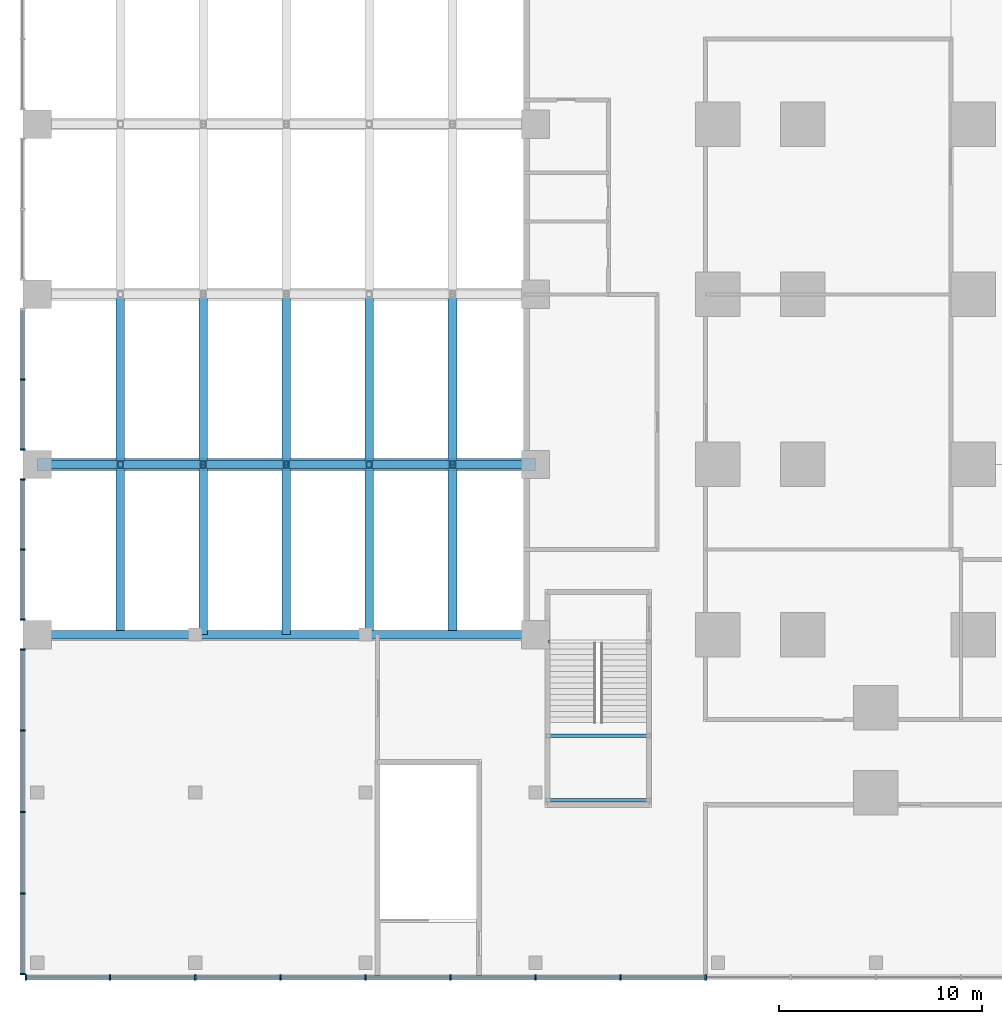
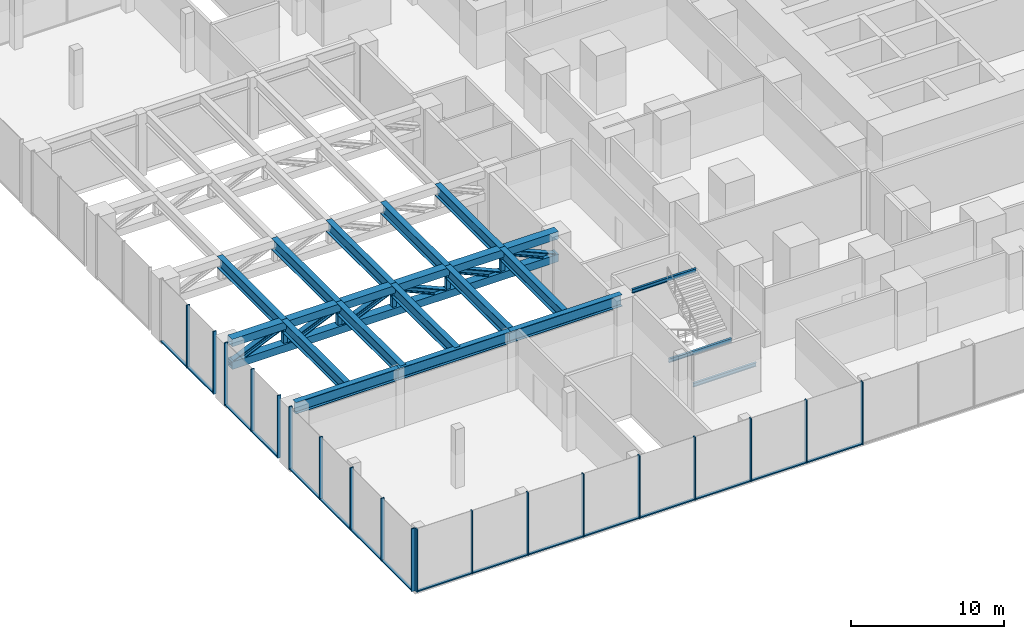
# One storey, part 15 of 33: 48 members, 16 beams, 4 elements without a shape of their own.
"""IFC4 building model written with IfcOpenShell, lengths in metres."""

from ifc_helpers import new_model, si_unit, direction, frame, origin, origin_2d, place, context, subcontext, project, spatial, rectangle, hollow_rectangle, i_section, extrude, material, material_profile, profile_set, type_object, element, aggregate, save


model = new_model("IFC4")

# Units and contexts
model_context = context("Model", 3, precision=1e-05, world=origin(), true_north=direction((0.0, 1.0)))
body_context = subcontext(model_context, "Body", "Model", "MODEL_VIEW")
ifc_project = project(units=[si_unit("LENGTHUNIT", "METRE"), si_unit("AREAUNIT", "SQUARE_METRE"), si_unit("VOLUMEUNIT", "CUBIC_METRE"), si_unit("PLANEANGLEUNIT", "RADIAN"), si_unit("MASSUNIT", "GRAM", prefix="KILO")], contexts=[model_context])

# Site, building, storey
site_placement = place(None, origin())
site = spatial("IfcSite", under=ifc_project, at=site_placement, CompositionType="ELEMENT")
building_placement = place(site_placement, origin())
building = spatial("IfcBuilding", under=site, at=building_placement, Name="Dunama Terrace Hotel", CompositionType="ELEMENT")
storey_placement = place(building_placement, frame((0.0, 0.0, 12.0)))
storey = spatial("IfcBuildingStorey", under=building, at=storey_placement, Name="L02", CompositionType="ELEMENT", Elevation=12.0)

# Members
ifc_material_1 = material(Name="Steel S355", Category="steel")
ifc_material_profile_1 = material_profile(ifc_material_1, i_section(OverallWidth=0.412109375, OverallDepth=0.4365234375, WebThickness=0.035888671875, FlangeThickness=0.05810546875, FilletRadius=0.01513671875, at=origin_2d()), Name="UC 356x406x467")
ifc_profile_set_1 = profile_set([ifc_material_profile_1], Name="Steel S355")
member_type_1 = type_object("IfcMemberType", Name="Brace UC 356x406x467", PredefinedType="BRACE", material=ifc_profile_set_1)
member_1_placement = place(storey_placement, frame((-33.0, 16.800048828125, 2.60009765625), z_axis=(0.91566360853, 0.0, 0.40194546398), x_axis=(0.0, 1.0, 0.0)))
element("IfcMember", 1, at=member_1_placement, inside=storey, type_object=member_type_1, Name="Ballroom truss diagonal", PredefinedType="BRACE", context=body_context, shape_type="SweptSolid", body=[
    extrude(i_section(OverallWidth=0.412109375, OverallDepth=0.4365234375, WebThickness=0.035888671875, FlangeThickness=0.05810546875, FilletRadius=0.01513671875, at=origin_2d()), origin(), (0.0, 0.0, 1.0), 4.477783203125),
])
member_2_placement = place(storey_placement, frame((-28.89990234375, 16.800048828125, 2.60009765625), z_axis=(0.915654799084, 0.0, 0.401965531998), x_axis=(0.0, 1.0, 0.0)))
element("IfcMember", 2, at=member_2_placement, inside=storey, type_object=member_type_1, Name="Ballroom truss diagonal", PredefinedType="BRACE", context=body_context, shape_type="SweptSolid", body=[
    extrude(i_section(OverallWidth=0.412109375, OverallDepth=0.4365234375, WebThickness=0.035888671875, FlangeThickness=0.05810546875, FilletRadius=0.01513671875, at=origin_2d()), origin(), (0.0, 0.0, 1.0), 4.4775390625),
])
member_3_placement = place(storey_placement, frame((-24.800048828125, 16.800048828125, 2.60009765625), z_axis=(0.91566360853, 0.0, 0.40194546398), x_axis=(0.0, 1.0, 0.0)))
element("IfcMember", 3, at=member_3_placement, inside=storey, type_object=member_type_1, Name="Ballroom truss diagonal", PredefinedType="BRACE", context=body_context, shape_type="SweptSolid", body=[
    extrude(i_section(OverallWidth=0.412109375, OverallDepth=0.4365234375, WebThickness=0.035888671875, FlangeThickness=0.05810546875, FilletRadius=0.01513671875, at=origin_2d()), origin(), (0.0, 0.0, 1.0), 4.477783203125),
])
member_4_placement = place(storey_placement, frame((-16.60009765625, 16.800048828125, 2.60009765625), z_axis=(-0.915654799084, 0.0, 0.401965531998), x_axis=(0.0, -1.0, 0.0)))
element("IfcMember", 4, at=member_4_placement, inside=storey, type_object=member_type_1, Name="Ballroom truss diagonal", PredefinedType="BRACE", context=body_context, shape_type="SweptSolid", body=[
    extrude(i_section(OverallWidth=0.412109375, OverallDepth=0.4365234375, WebThickness=0.035888671875, FlangeThickness=0.05810546875, FilletRadius=0.01513671875, at=origin_2d()), origin(), (0.0, 0.0, 1.0), 4.4775390625),
])
for number, where, z_axis, x_axis, name in (
    (5, (-12.5, 16.800048828125, 2.60009765625), (-0.91566360853, 0.0, 0.40194546398), (0.0, -1.0, 0.0), "Ballroom truss diagonal"),
    (6, (-8.39990234375, 16.800048828125, 2.60009765625), (-0.91566360853, 0.0, 0.40194546398), (0.0, -1.0, 0.0), "Ballroom truss diagonal"),
):
    element("IfcMember", number, at=place(storey_placement, frame(where, z_axis=z_axis, x_axis=x_axis)), inside=storey, type_object=member_type_1, Name=name, PredefinedType="BRACE", context=body_context, shape_type="SweptSolid", body=[
        extrude(i_section(OverallWidth=0.412109375, OverallDepth=0.4365234375, WebThickness=0.035888671875, FlangeThickness=0.05810546875, FilletRadius=0.01513671875, at=origin_2d()), origin(), (0.0, 0.0, 1.0), 4.477783203125),
    ])

# Curtain wall, members
ifc_material_2 = material(Name="Aluminium curtain wall system", Category="aluminium")
curtain_wall_type = type_object("IfcCurtainWallType", Name="Podium storefront glazing CW-E", PredefinedType="NOTDEFINED", material=ifc_material_2)
curtain_wall_1_placement = place(storey_placement, origin())
curtain_wall_1 = element("IfcCurtainWall", 7, at=curtain_wall_1_placement, inside=storey, type_object=curtain_wall_type, Name="Podium storefront glazing CW-E L02", PredefinedType="NOTDEFINED")
ifc_material_3 = material(Name="Aluminium mullion", Category="aluminium")
ifc_material_profile_2 = material_profile(ifc_material_3, rectangle(XDim=0.080078125, YDim=0.25, at=origin_2d()), Name="CWE MULLION 80X250")
ifc_profile_set_2 = profile_set([ifc_material_profile_2], Name="Aluminium mullion")
member_type_2 = type_object("IfcMemberType", Name="CWE mullion 80x250", PredefinedType="MULLION", material=ifc_profile_set_2)
member_5_placement = place(storey_placement, frame((-33.56005859375, -8.52490234375, 0.0), z_axis=(0.0, 0.0, 1.0), x_axis=(1.0, 0.0, 0.0)))
member_5 = element("IfcMember", 8, at=member_5_placement, type_object=member_type_2, Name="CWE mullion", PredefinedType="MULLION", context=body_context, shape_type="SweptSolid", body=[
    extrude(rectangle(XDim=0.080078125, YDim=0.25, at=origin_2d()), origin(), (0.0, 0.0, 1.0), 5.0),
])
member_6_placement = place(storey_placement, frame((-29.39990234375, -8.52490234375, 0.0), z_axis=(0.0, 0.0, 1.0), x_axis=(1.0, 0.0, 0.0)))
member_6 = element("IfcMember", 9, at=member_6_placement, type_object=member_type_2, Name="CWE mullion", PredefinedType="MULLION", context=body_context, shape_type="SweptSolid", body=[
    extrude(rectangle(XDim=0.080078125, YDim=0.25, at=origin_2d()), origin(), (0.0, 0.0, 1.0), 5.0),
])
member_7_placement = place(storey_placement, frame((-25.199951171875, -8.52490234375, 0.0), z_axis=(0.0, 0.0, 1.0), x_axis=(1.0, 0.0, 0.0)))
member_7 = element("IfcMember", 10, at=member_7_placement, type_object=member_type_2, Name="CWE mullion", PredefinedType="MULLION", context=body_context, shape_type="SweptSolid", body=[
    extrude(rectangle(XDim=0.080078125, YDim=0.25, at=origin_2d()), origin(), (0.0, 0.0, 1.0), 5.0),
])
member_8_placement = place(storey_placement, frame((-21.0, -8.52490234375, 0.0), z_axis=(0.0, 0.0, 1.0), x_axis=(1.0, 0.0, 0.0)))
member_8 = element("IfcMember", 11, at=member_8_placement, type_object=member_type_2, Name="CWE mullion", PredefinedType="MULLION", context=body_context, shape_type="SweptSolid", body=[
    extrude(rectangle(XDim=0.080078125, YDim=0.25, at=origin_2d()), origin(), (0.0, 0.0, 1.0), 5.0),
])
member_9_placement = place(storey_placement, frame((-16.800048828125, -8.52490234375, 0.0), z_axis=(0.0, 0.0, 1.0), x_axis=(1.0, 0.0, 0.0)))
member_9 = element("IfcMember", 12, at=member_9_placement, type_object=member_type_2, Name="CWE mullion", PredefinedType="MULLION", context=body_context, shape_type="SweptSolid", body=[
    extrude(rectangle(XDim=0.080078125, YDim=0.25, at=origin_2d()), origin(), (0.0, 0.0, 1.0), 5.0),
])
member_10_placement = place(storey_placement, frame((-12.60009765625, -8.52490234375, 0.0), z_axis=(0.0, 0.0, 1.0), x_axis=(1.0, 0.0, 0.0)))
member_10 = element("IfcMember", 13, at=member_10_placement, type_object=member_type_2, Name="CWE mullion", PredefinedType="MULLION", context=body_context, shape_type="SweptSolid", body=[
    extrude(rectangle(XDim=0.080078125, YDim=0.25, at=origin_2d()), origin(), (0.0, 0.0, 1.0), 5.0),
])
member_11_placement = place(storey_placement, frame((-8.39990234375, -8.52490234375, 0.0), z_axis=(0.0, 0.0, 1.0), x_axis=(1.0, 0.0, 0.0)))
member_11 = element("IfcMember", 14, at=member_11_placement, type_object=member_type_2, Name="CWE mullion", PredefinedType="MULLION", context=body_context, shape_type="SweptSolid", body=[
    extrude(rectangle(XDim=0.080078125, YDim=0.25, at=origin_2d()), origin(), (0.0, 0.0, 1.0), 5.0),
])
member_12_placement = place(storey_placement, frame((-4.199951171875, -8.52490234375, 0.0), z_axis=(0.0, 0.0, 1.0), x_axis=(1.0, 0.0, 0.0)))
member_12 = element("IfcMember", 15, at=member_12_placement, type_object=member_type_2, Name="CWE mullion", PredefinedType="MULLION", context=body_context, shape_type="SweptSolid", body=[
    extrude(rectangle(XDim=0.080078125, YDim=0.25, at=origin_2d()), origin(), (0.0, 0.0, 1.0), 5.0),
])
member_13_placement = place(storey_placement, frame((0.0, -8.52490234375, 0.0), z_axis=(0.0, 0.0, 1.0), x_axis=(1.0, 0.0, 0.0)))
member_13 = element("IfcMember", 16, at=member_13_placement, type_object=member_type_2, Name="CWE mullion", PredefinedType="MULLION", context=body_context, shape_type="SweptSolid", body=[
    extrude(rectangle(XDim=0.080078125, YDim=0.25, at=origin_2d()), origin(), (0.0, 0.0, 1.0), 5.0),
])

curtain_wall_2_placement = place(storey_placement, origin())
curtain_wall_2 = element("IfcCurtainWall", 17, at=curtain_wall_2_placement, inside=storey, type_object=curtain_wall_type, Name="Podium storefront glazing CW-E L02", PredefinedType="NOTDEFINED")
member_14_placement = place(storey_placement, frame((-33.72509765625, 7.659912109375, 0.0), z_axis=(0.0, 0.0, 1.0), x_axis=(0.0, -1.0, 0.0)))
member_14 = element("IfcMember", 18, at=member_14_placement, type_object=member_type_2, Name="CWE mullion", PredefinedType="MULLION", context=body_context, shape_type="SweptSolid", body=[
    extrude(rectangle(XDim=0.080078125, YDim=0.25, at=origin_2d()), origin(), (0.0, 0.0, 1.0), 5.0),
])
member_15_placement = place(storey_placement, frame((-33.72509765625, 3.675048828125, 0.0), z_axis=(0.0, 0.0, 1.0), x_axis=(0.0, -1.0, 0.0)))
member_15 = element("IfcMember", 19, at=member_15_placement, type_object=member_type_2, Name="CWE mullion", PredefinedType="MULLION", context=body_context, shape_type="SweptSolid", body=[
    extrude(rectangle(XDim=0.080078125, YDim=0.25, at=origin_2d()), origin(), (0.0, 0.0, 1.0), 5.0),
])
member_16_placement = place(storey_placement, frame((-33.72509765625, -0.35009765625, 0.0), z_axis=(0.0, 0.0, 1.0), x_axis=(0.0, -1.0, 0.0)))
member_16 = element("IfcMember", 20, at=member_16_placement, type_object=member_type_2, Name="CWE mullion", PredefinedType="MULLION", context=body_context, shape_type="SweptSolid", body=[
    extrude(rectangle(XDim=0.080078125, YDim=0.25, at=origin_2d()), origin(), (0.0, 0.0, 1.0), 5.0),
])
member_17_placement = place(storey_placement, frame((-33.72509765625, -4.375, 0.0), z_axis=(0.0, 0.0, 1.0), x_axis=(0.0, -1.0, 0.0)))
member_17 = element("IfcMember", 21, at=member_17_placement, type_object=member_type_2, Name="CWE mullion", PredefinedType="MULLION", context=body_context, shape_type="SweptSolid", body=[
    extrude(rectangle(XDim=0.080078125, YDim=0.25, at=origin_2d()), origin(), (0.0, 0.0, 1.0), 5.0),
])
member_18_placement = place(storey_placement, frame((-33.72509765625, -8.360107421875, 0.0), z_axis=(0.0, 0.0, 1.0), x_axis=(0.0, -1.0, 0.0)))
member_18 = element("IfcMember", 22, at=member_18_placement, type_object=member_type_2, Name="CWE mullion", PredefinedType="MULLION", context=body_context, shape_type="SweptSolid", body=[
    extrude(rectangle(XDim=0.080078125, YDim=0.25, at=origin_2d()), origin(), (0.0, 0.0, 1.0), 5.0),
])

curtain_wall_3_placement = place(storey_placement, origin())
curtain_wall_3 = element("IfcCurtainWall", 23, at=curtain_wall_3_placement, inside=storey, type_object=curtain_wall_type, Name="Podium storefront glazing CW-E ballroom L02", PredefinedType="NOTDEFINED")
member_19_placement = place(storey_placement, frame((-33.72509765625, 21.0, 0.0), z_axis=(0.0, 0.0, 1.0), x_axis=(0.0, -1.0, 0.0)))
member_19 = element("IfcMember", 24, at=member_19_placement, type_object=member_type_2, Name="CWE mullion", PredefinedType="MULLION", context=body_context, shape_type="SweptSolid", body=[
    extrude(rectangle(XDim=0.080078125, YDim=0.25, at=origin_2d()), origin(), (0.0, 0.0, 1.0), 5.0),
])
member_20_placement = place(storey_placement, frame((-33.72509765625, 17.5400390625, 0.0), z_axis=(0.0, 0.0, 1.0), x_axis=(0.0, -1.0, 0.0)))
member_20 = element("IfcMember", 25, at=member_20_placement, type_object=member_type_2, Name="CWE mullion", PredefinedType="MULLION", context=body_context, shape_type="SweptSolid", body=[
    extrude(rectangle(XDim=0.080078125, YDim=0.25, at=origin_2d()), origin(), (0.0, 0.0, 1.0), 5.0),
])

curtain_wall_4_placement = place(storey_placement, origin())
curtain_wall_4 = element("IfcCurtainWall", 26, at=curtain_wall_4_placement, inside=storey, type_object=curtain_wall_type, Name="Podium storefront glazing CW-E ballroom L02", PredefinedType="NOTDEFINED")
member_21_placement = place(storey_placement, frame((-33.72509765625, 16.06005859375, 0.0), z_axis=(0.0, 0.0, 1.0), x_axis=(0.0, -1.0, 0.0)))
member_21 = element("IfcMember", 27, at=member_21_placement, type_object=member_type_2, Name="CWE mullion", PredefinedType="MULLION", context=body_context, shape_type="SweptSolid", body=[
    extrude(rectangle(XDim=0.080078125, YDim=0.25, at=origin_2d()), origin(), (0.0, 0.0, 1.0), 5.0),
])
member_22_placement = place(storey_placement, frame((-33.72509765625, 12.60009765625, 0.0), z_axis=(0.0, 0.0, 1.0), x_axis=(0.0, -1.0, 0.0)))
member_22 = element("IfcMember", 28, at=member_22_placement, type_object=member_type_2, Name="CWE mullion", PredefinedType="MULLION", context=body_context, shape_type="SweptSolid", body=[
    extrude(rectangle(XDim=0.080078125, YDim=0.25, at=origin_2d()), origin(), (0.0, 0.0, 1.0), 5.0),
])
member_23_placement = place(storey_placement, frame((-33.72509765625, 9.139892578125, 0.0), z_axis=(0.0, 0.0, 1.0), x_axis=(0.0, -1.0, 0.0)))
member_23 = element("IfcMember", 29, at=member_23_placement, type_object=member_type_2, Name="CWE mullion", PredefinedType="MULLION", context=body_context, shape_type="SweptSolid", body=[
    extrude(rectangle(XDim=0.080078125, YDim=0.25, at=origin_2d()), origin(), (0.0, 0.0, 1.0), 5.0),
])

# Member
ifc_material_4 = material(Name="Aluminium transom", Category="aluminium")
ifc_material_profile_3 = material_profile(ifc_material_4, rectangle(XDim=0.199951171875, YDim=0.090087890625, at=origin_2d()), Name="CWE TRANSOM 200X90")
ifc_profile_set_3 = profile_set([ifc_material_profile_3], Name="Aluminium transom")
member_type_3 = type_object("IfcMemberType", Name="CWE transom 200x90", PredefinedType="USERDEFINED", material=ifc_profile_set_3)
member_24_placement = place(storey_placement, frame((-33.52001953125, -8.52490234375, 0.044921875), z_axis=(1.0, 0.0, 0.0), x_axis=(0.0, 1.0, 0.0)))
member_24 = element("IfcMember", 30, at=member_24_placement, type_object=member_type_3, Name="CWE transom", ObjectType="TRANSOM", PredefinedType="USERDEFINED", context=body_context, shape_type="SweptSolid", body=[
    extrude(rectangle(XDim=0.199951171875, YDim=0.090087890625, at=origin_2d()), origin(), (0.0, 0.0, 1.0), 4.080078125),
])

member_25_placement = place(storey_placement, frame((-29.360107421875, -8.52490234375, 0.044921875), z_axis=(1.0, 0.0, 0.0), x_axis=(0.0, 1.0, 0.0)))
member_25 = element("IfcMember", 31, at=member_25_placement, type_object=member_type_3, Name="CWE transom", ObjectType="TRANSOM", PredefinedType="USERDEFINED", context=body_context, shape_type="SweptSolid", body=[
    extrude(rectangle(XDim=0.199951171875, YDim=0.090087890625, at=origin_2d()), origin(), (0.0, 0.0, 1.0), 4.1201171875),
])

member_26_placement = place(storey_placement, frame((-25.159912109375, -8.52490234375, 0.044921875), z_axis=(1.0, 0.0, 0.0), x_axis=(0.0, 1.0, 0.0)))
member_26 = element("IfcMember", 32, at=member_26_placement, type_object=member_type_3, Name="CWE transom", ObjectType="TRANSOM", PredefinedType="USERDEFINED", context=body_context, shape_type="SweptSolid", body=[
    extrude(rectangle(XDim=0.199951171875, YDim=0.090087890625, at=origin_2d()), origin(), (0.0, 0.0, 1.0), 4.119873046875),
])

member_27_placement = place(storey_placement, frame((-20.9599609375, -8.52490234375, 0.044921875), z_axis=(1.0, 0.0, 0.0), x_axis=(0.0, 1.0, 0.0)))
member_27 = element("IfcMember", 33, at=member_27_placement, type_object=member_type_3, Name="CWE transom", ObjectType="TRANSOM", PredefinedType="USERDEFINED", context=body_context, shape_type="SweptSolid", body=[
    extrude(rectangle(XDim=0.199951171875, YDim=0.090087890625, at=origin_2d()), origin(), (0.0, 0.0, 1.0), 4.119873046875),
])

member_28_placement = place(storey_placement, frame((-16.760009765625, -8.52490234375, 0.044921875), z_axis=(1.0, 0.0, 0.0), x_axis=(0.0, 1.0, 0.0)))
member_28 = element("IfcMember", 34, at=member_28_placement, type_object=member_type_3, Name="CWE transom", ObjectType="TRANSOM", PredefinedType="USERDEFINED", context=body_context, shape_type="SweptSolid", body=[
    extrude(rectangle(XDim=0.199951171875, YDim=0.090087890625, at=origin_2d()), origin(), (0.0, 0.0, 1.0), 4.1201171875),
])

member_29_placement = place(storey_placement, frame((-12.56005859375, -8.52490234375, 0.044921875), z_axis=(1.0, 0.0, 0.0), x_axis=(0.0, 1.0, 0.0)))
member_29 = element("IfcMember", 35, at=member_29_placement, type_object=member_type_3, Name="CWE transom", ObjectType="TRANSOM", PredefinedType="USERDEFINED", context=body_context, shape_type="SweptSolid", body=[
    extrude(rectangle(XDim=0.199951171875, YDim=0.090087890625, at=origin_2d()), origin(), (0.0, 0.0, 1.0), 4.1201171875),
])

member_30_placement = place(storey_placement, frame((-8.360107421875, -8.52490234375, 0.044921875), z_axis=(1.0, 0.0, 0.0), x_axis=(0.0, 1.0, 0.0)))
member_30 = element("IfcMember", 36, at=member_30_placement, type_object=member_type_3, Name="CWE transom", ObjectType="TRANSOM", PredefinedType="USERDEFINED", context=body_context, shape_type="SweptSolid", body=[
    extrude(rectangle(XDim=0.199951171875, YDim=0.090087890625, at=origin_2d()), origin(), (0.0, 0.0, 1.0), 4.1201171875),
])

member_31_placement = place(storey_placement, frame((-4.159912109375, -8.52490234375, 0.044921875), z_axis=(1.0, 0.0, 0.0), x_axis=(0.0, 1.0, 0.0)))
member_31 = element("IfcMember", 37, at=member_31_placement, type_object=member_type_3, Name="CWE transom", ObjectType="TRANSOM", PredefinedType="USERDEFINED", context=body_context, shape_type="SweptSolid", body=[
    extrude(rectangle(XDim=0.199951171875, YDim=0.090087890625, at=origin_2d()), origin(), (0.0, 0.0, 1.0), 4.119873046875),
])

aggregate(curtain_wall_1, [member_5, member_6, member_7, member_8, member_9, member_10, member_11, member_12, member_13, member_24, member_25, member_26, member_27, member_28, member_29, member_30, member_31])

member_32_placement = place(storey_placement, frame((-33.72509765625, 7.6201171875, 0.044921875), z_axis=(0.0, -1.0, 0.0), x_axis=(1.0, 0.0, 0.0)))
member_32 = element("IfcMember", 38, at=member_32_placement, type_object=member_type_3, Name="CWE transom", ObjectType="TRANSOM", PredefinedType="USERDEFINED", context=body_context, shape_type="SweptSolid", body=[
    extrude(rectangle(XDim=0.199951171875, YDim=0.090087890625, at=origin_2d()), origin(), (0.0, 0.0, 1.0), 3.905029296875),
])

member_33_placement = place(storey_placement, frame((-33.72509765625, 3.635009765625, 0.044921875), z_axis=(0.0, -1.0, 0.0), x_axis=(1.0, 0.0, 0.0)))
member_33 = element("IfcMember", 39, at=member_33_placement, type_object=member_type_3, Name="CWE transom", ObjectType="TRANSOM", PredefinedType="USERDEFINED", context=body_context, shape_type="SweptSolid", body=[
    extrude(rectangle(XDim=0.199951171875, YDim=0.090087890625, at=origin_2d()), origin(), (0.0, 0.0, 1.0), 3.945068359375),
])

member_34_placement = place(storey_placement, frame((-33.72509765625, -0.389892578125, 0.044921875), z_axis=(0.0, -1.0, 0.0), x_axis=(1.0, 0.0, 0.0)))
member_34 = element("IfcMember", 40, at=member_34_placement, type_object=member_type_3, Name="CWE transom", ObjectType="TRANSOM", PredefinedType="USERDEFINED", context=body_context, shape_type="SweptSolid", body=[
    extrude(rectangle(XDim=0.199951171875, YDim=0.090087890625, at=origin_2d()), origin(), (0.0, 0.0, 1.0), 3.945068359375),
])

member_35_placement = place(storey_placement, frame((-33.72509765625, -4.4150390625, 0.044921875), z_axis=(0.0, -1.0, 0.0), x_axis=(1.0, 0.0, 0.0)))
member_35 = element("IfcMember", 41, at=member_35_placement, type_object=member_type_3, Name="CWE transom", ObjectType="TRANSOM", PredefinedType="USERDEFINED", context=body_context, shape_type="SweptSolid", body=[
    extrude(rectangle(XDim=0.199951171875, YDim=0.090087890625, at=origin_2d()), origin(), (0.0, 0.0, 1.0), 3.905029296875),
])

aggregate(curtain_wall_2, [member_14, member_15, member_16, member_17, member_18, member_32, member_33, member_34, member_35])

member_36_placement = place(storey_placement, frame((-33.72509765625, 24.419921875, 0.044921875), z_axis=(0.0, -1.0, 0.0), x_axis=(1.0, 0.0, 0.0)))
member_36 = element("IfcMember", 42, at=member_36_placement, type_object=member_type_3, Name="CWE transom", ObjectType="TRANSOM", PredefinedType="USERDEFINED", context=body_context, shape_type="SweptSolid", body=[
    extrude(rectangle(XDim=0.199951171875, YDim=0.090087890625, at=origin_2d()), origin(), (0.0, 0.0, 1.0), 3.3798828125),
])

member_37_placement = place(storey_placement, frame((-33.72509765625, 20.9599609375, 0.044921875), z_axis=(0.0, -1.0, 0.0), x_axis=(1.0, 0.0, 0.0)))
member_37 = element("IfcMember", 43, at=member_37_placement, type_object=member_type_3, Name="CWE transom", ObjectType="TRANSOM", PredefinedType="USERDEFINED", context=body_context, shape_type="SweptSolid", body=[
    extrude(rectangle(XDim=0.199951171875, YDim=0.090087890625, at=origin_2d()), origin(), (0.0, 0.0, 1.0), 3.3798828125),
])

aggregate(curtain_wall_3, [member_19, member_20, member_36, member_37])

member_38_placement = place(storey_placement, frame((-33.72509765625, 16.02001953125, 0.044921875), z_axis=(0.0, -1.0, 0.0), x_axis=(1.0, 0.0, 0.0)))
member_38 = element("IfcMember", 44, at=member_38_placement, type_object=member_type_3, Name="CWE transom", ObjectType="TRANSOM", PredefinedType="USERDEFINED", context=body_context, shape_type="SweptSolid", body=[
    extrude(rectangle(XDim=0.199951171875, YDim=0.090087890625, at=origin_2d()), origin(), (0.0, 0.0, 1.0), 3.380126953125),
])

member_39_placement = place(storey_placement, frame((-33.72509765625, 12.56005859375, 0.044921875), z_axis=(0.0, -1.0, 0.0), x_axis=(1.0, 0.0, 0.0)))
member_39 = element("IfcMember", 45, at=member_39_placement, type_object=member_type_3, Name="CWE transom", ObjectType="TRANSOM", PredefinedType="USERDEFINED", context=body_context, shape_type="SweptSolid", body=[
    extrude(rectangle(XDim=0.199951171875, YDim=0.090087890625, at=origin_2d()), origin(), (0.0, 0.0, 1.0), 3.380126953125),
])

aggregate(curtain_wall_4, [member_21, member_22, member_23, member_38, member_39])

# Beams
ifc_material_5 = material(Name="Steel S355", Category="steel")
ifc_material_profile_4 = material_profile(ifc_material_5, i_section(OverallWidth=0.42041015625, OverallDepth=0.9208984375, WebThickness=0.021484375, FlangeThickness=0.03662109375, FilletRadius=0.024169921875, at=origin_2d()), Name="UB 914x419x388")
ifc_profile_set_4 = profile_set([ifc_material_profile_4], Name="Steel S355")
beam_type_1 = type_object("IfcBeamType", Name="Joist UB 914x419x388", PredefinedType="JOIST", material=ifc_profile_set_4)
beam_1_placement = place(storey_placement, frame((-28.89990234375, 8.39990234375, 4.239501953125), z_axis=(0.0, 1.0, 0.0), x_axis=(-1.0, 0.0, 0.0)))
element("IfcBeam", 46, at=beam_1_placement, inside=storey, type_object=beam_type_1, Name="Ballroom roof joist", PredefinedType="JOIST", context=body_context, shape_type="SweptSolid", body=[
    extrude(i_section(OverallWidth=0.42041015625, OverallDepth=0.9208984375, WebThickness=0.021484375, FlangeThickness=0.03662109375, FilletRadius=0.024169921875, at=origin_2d()), origin(), (0.0, 0.0, 1.0), 8.400146484375),
])
beam_2_placement = place(storey_placement, frame((-28.89990234375, 16.800048828125, 4.239501953125), z_axis=(0.0, 1.0, 0.0), x_axis=(-1.0, 0.0, 0.0)))
element("IfcBeam", 47, at=beam_2_placement, inside=storey, type_object=beam_type_1, Name="Ballroom roof joist", PredefinedType="JOIST", context=body_context, shape_type="SweptSolid", body=[
    extrude(i_section(OverallWidth=0.42041015625, OverallDepth=0.9208984375, WebThickness=0.021484375, FlangeThickness=0.03662109375, FilletRadius=0.024169921875, at=origin_2d()), origin(), (0.0, 0.0, 1.0), 8.39990234375),
])
beam_3_placement = place(storey_placement, frame((-24.800048828125, 8.39990234375, 4.239501953125), z_axis=(0.0, 1.0, 0.0), x_axis=(-1.0, 0.0, 0.0)))
element("IfcBeam", 48, at=beam_3_placement, inside=storey, type_object=beam_type_1, Name="Ballroom roof joist", PredefinedType="JOIST", context=body_context, shape_type="SweptSolid", body=[
    extrude(i_section(OverallWidth=0.42041015625, OverallDepth=0.9208984375, WebThickness=0.021484375, FlangeThickness=0.03662109375, FilletRadius=0.024169921875, at=origin_2d()), origin(), (0.0, 0.0, 1.0), 8.400146484375),
])
beam_4_placement = place(storey_placement, frame((-24.800048828125, 16.800048828125, 4.239501953125), z_axis=(0.0, 1.0, 0.0), x_axis=(-1.0, 0.0, 0.0)))
element("IfcBeam", 49, at=beam_4_placement, inside=storey, type_object=beam_type_1, Name="Ballroom roof joist", PredefinedType="JOIST", context=body_context, shape_type="SweptSolid", body=[
    extrude(i_section(OverallWidth=0.42041015625, OverallDepth=0.9208984375, WebThickness=0.021484375, FlangeThickness=0.03662109375, FilletRadius=0.024169921875, at=origin_2d()), origin(), (0.0, 0.0, 1.0), 8.39990234375),
])
beam_5_placement = place(storey_placement, frame((-20.699951171875, 8.39990234375, 4.239501953125), z_axis=(0.0, 1.0, 0.0), x_axis=(-1.0, 0.0, 0.0)))
element("IfcBeam", 50, at=beam_5_placement, inside=storey, type_object=beam_type_1, Name="Ballroom roof joist", PredefinedType="JOIST", context=body_context, shape_type="SweptSolid", body=[
    extrude(i_section(OverallWidth=0.42041015625, OverallDepth=0.9208984375, WebThickness=0.021484375, FlangeThickness=0.03662109375, FilletRadius=0.024169921875, at=origin_2d()), origin(), (0.0, 0.0, 1.0), 8.400146484375),
])
beam_6_placement = place(storey_placement, frame((-20.699951171875, 16.800048828125, 4.239501953125), z_axis=(0.0, 1.0, 0.0), x_axis=(-1.0, 0.0, 0.0)))
element("IfcBeam", 51, at=beam_6_placement, inside=storey, type_object=beam_type_1, Name="Ballroom roof joist", PredefinedType="JOIST", context=body_context, shape_type="SweptSolid", body=[
    extrude(i_section(OverallWidth=0.42041015625, OverallDepth=0.9208984375, WebThickness=0.021484375, FlangeThickness=0.03662109375, FilletRadius=0.024169921875, at=origin_2d()), origin(), (0.0, 0.0, 1.0), 8.39990234375),
])
beam_7_placement = place(storey_placement, frame((-16.60009765625, 8.39990234375, 4.239501953125), z_axis=(0.0, 1.0, 0.0), x_axis=(-1.0, 0.0, 0.0)))
element("IfcBeam", 52, at=beam_7_placement, inside=storey, type_object=beam_type_1, Name="Ballroom roof joist", PredefinedType="JOIST", context=body_context, shape_type="SweptSolid", body=[
    extrude(i_section(OverallWidth=0.42041015625, OverallDepth=0.9208984375, WebThickness=0.021484375, FlangeThickness=0.03662109375, FilletRadius=0.024169921875, at=origin_2d()), origin(), (0.0, 0.0, 1.0), 8.400146484375),
])
beam_8_placement = place(storey_placement, frame((-16.60009765625, 16.800048828125, 4.239501953125), z_axis=(0.0, 1.0, 0.0), x_axis=(-1.0, 0.0, 0.0)))
element("IfcBeam", 53, at=beam_8_placement, inside=storey, type_object=beam_type_1, Name="Ballroom roof joist", PredefinedType="JOIST", context=body_context, shape_type="SweptSolid", body=[
    extrude(i_section(OverallWidth=0.42041015625, OverallDepth=0.9208984375, WebThickness=0.021484375, FlangeThickness=0.03662109375, FilletRadius=0.024169921875, at=origin_2d()), origin(), (0.0, 0.0, 1.0), 8.39990234375),
])
beam_9_placement = place(storey_placement, frame((-12.5, 8.39990234375, 4.239501953125), z_axis=(0.0, 1.0, 0.0), x_axis=(-1.0, 0.0, 0.0)))
element("IfcBeam", 54, at=beam_9_placement, inside=storey, type_object=beam_type_1, Name="Ballroom roof joist", PredefinedType="JOIST", context=body_context, shape_type="SweptSolid", body=[
    extrude(i_section(OverallWidth=0.42041015625, OverallDepth=0.9208984375, WebThickness=0.021484375, FlangeThickness=0.03662109375, FilletRadius=0.024169921875, at=origin_2d()), origin(), (0.0, 0.0, 1.0), 8.400146484375),
])
beam_10_placement = place(storey_placement, frame((-12.5, 16.800048828125, 4.239501953125), z_axis=(0.0, 1.0, 0.0), x_axis=(-1.0, 0.0, 0.0)))
element("IfcBeam", 55, at=beam_10_placement, inside=storey, type_object=beam_type_1, Name="Ballroom roof joist", PredefinedType="JOIST", context=body_context, shape_type="SweptSolid", body=[
    extrude(i_section(OverallWidth=0.42041015625, OverallDepth=0.9208984375, WebThickness=0.021484375, FlangeThickness=0.03662109375, FilletRadius=0.024169921875, at=origin_2d()), origin(), (0.0, 0.0, 1.0), 8.39990234375),
])
ifc_material_6 = material(Name="Steel S355", Category="steel")
ifc_material_profile_5 = material_profile(ifc_material_6, i_section(OverallWidth=0.1650390625, OverallDepth=0.303466796875, WebThickness=0.006103515625, FlangeThickness=0.01025390625, FilletRadius=0.0087890625, at=origin_2d()), Name="UB 305x165x40")
ifc_profile_set_5 = profile_set([ifc_material_profile_5], Name="Steel S355")
beam_type_2 = type_object("IfcBeamType", Name="Stair beam UB 305x165x40", PredefinedType="BEAM", material=ifc_profile_set_5)
beam_11_placement = place(storey_placement, frame((-7.75, 8.0576171875, 4.848388671875), z_axis=(1.0, 0.0, 0.0), x_axis=(0.0, 1.0, 0.0)))
element("IfcBeam", 56, at=beam_11_placement, inside=storey, type_object=beam_type_2, Name="Stair trimmer P4 at L03", PredefinedType="BEAM", context=body_context, shape_type="SweptSolid", body=[
    extrude(i_section(OverallWidth=0.1650390625, OverallDepth=0.303466796875, WebThickness=0.006103515625, FlangeThickness=0.01025390625, FilletRadius=0.0087890625, at=origin_2d()), origin(), (0.0, 0.0, 1.0), 4.824951171875),
])
for number, where, z_axis, x_axis, name in (
    (57, (-7.675048828125, 3.41259765625, 2.098388671875), (1.0, 0.0, 0.0), (0.0, 1.0, 0.0), "Stair landing beam P4 L02 front"),
    (58, (-7.675048828125, 0.22509765625, 2.098388671875), (1.0, 0.0, 0.0), (0.0, 1.0, 0.0), "Stair landing beam P4 L02 far"),
):
    element("IfcBeam", number, at=place(storey_placement, frame(where, z_axis=z_axis, x_axis=x_axis)), inside=storey, type_object=beam_type_2, Name=name, PredefinedType="BEAM", context=body_context, shape_type="SweptSolid", body=[
        extrude(i_section(OverallWidth=0.1650390625, OverallDepth=0.303466796875, WebThickness=0.006103515625, FlangeThickness=0.01025390625, FilletRadius=0.0087890625, at=origin_2d()), origin(), (0.0, 0.0, 1.0), 4.75),
    ])
ifc_material_7 = material(Name="Steel S355", Category="steel")
ifc_material_profile_6 = material_profile(ifc_material_7, i_section(OverallWidth=0.42041015625, OverallDepth=0.9208984375, WebThickness=0.021484375, FlangeThickness=0.03662109375, FilletRadius=0.024169921875, at=origin_2d()), Name="UB 914x419x388")
ifc_profile_set_6 = profile_set([ifc_material_profile_6], Name="Steel S355")
beam_type_3 = type_object("IfcBeamType", Name="Steel beam UB 914x419x388", PredefinedType="BEAM", material=ifc_profile_set_6)
beam_12_placement = place(storey_placement, frame((-33.0, 8.39990234375, 4.239501953125), z_axis=(1.0, 0.0, 0.0), x_axis=(0.0, 1.0, 0.0)))
element("IfcBeam", 59, at=beam_12_placement, inside=storey, type_object=beam_type_3, Name="Ballroom edge girder", PredefinedType="BEAM", context=body_context, shape_type="SweptSolid", body=[
    extrude(i_section(OverallWidth=0.42041015625, OverallDepth=0.9208984375, WebThickness=0.021484375, FlangeThickness=0.03662109375, FilletRadius=0.024169921875, at=origin_2d()), origin(), (0.0, 0.0, 1.0), 7.800048828125),
])
beam_13_placement = place(storey_placement, frame((-25.199951171875, 8.39990234375, 4.239501953125), z_axis=(1.0, 0.0, 0.0), x_axis=(0.0, 1.0, 0.0)))
element("IfcBeam", 60, at=beam_13_placement, inside=storey, type_object=beam_type_3, Name="Ballroom edge girder", PredefinedType="BEAM", context=body_context, shape_type="SweptSolid", body=[
    extrude(i_section(OverallWidth=0.42041015625, OverallDepth=0.9208984375, WebThickness=0.021484375, FlangeThickness=0.03662109375, FilletRadius=0.024169921875, at=origin_2d()), origin(), (0.0, 0.0, 1.0), 8.39990234375),
])
beam_14_placement = place(storey_placement, frame((-16.800048828125, 8.39990234375, 4.239501953125), z_axis=(1.0, 0.0, 0.0), x_axis=(0.0, 1.0, 0.0)))
element("IfcBeam", 61, at=beam_14_placement, inside=storey, type_object=beam_type_3, Name="Ballroom edge girder", PredefinedType="BEAM", context=body_context, shape_type="SweptSolid", body=[
    extrude(i_section(OverallWidth=0.42041015625, OverallDepth=0.9208984375, WebThickness=0.021484375, FlangeThickness=0.03662109375, FilletRadius=0.024169921875, at=origin_2d()), origin(), (0.0, 0.0, 1.0), 8.400146484375),
])

# Members
ifc_material_8 = material(Name="Steel S355", Category="steel")
ifc_material_profile_7 = material_profile(ifc_material_8, hollow_rectangle(XDim=0.60009765625, YDim=0.60009765625, WallThickness=0.050048828125, at=origin_2d()), Name="BOX 600x600x50")
ifc_profile_set_7 = profile_set([ifc_material_profile_7], Name="Steel S355")
member_type_4 = type_object("IfcMemberType", Name="Truss member BOX 600x600x50", PredefinedType="CHORD", material=ifc_profile_set_7)
for number, where, z_axis, x_axis, name in (
    (62, (-33.0, 16.800048828125, 4.39990234375), (1.0, 0.0, 0.0), (0.0, 1.0, 0.0), "Ballroom truss top chord"),
    (63, (-33.0, 16.800048828125, 2.60009765625), (1.0, 0.0, 0.0), (0.0, 1.0, 0.0), "Ballroom truss bottom chord"),
):
    element("IfcMember", number, at=place(storey_placement, frame(where, z_axis=z_axis, x_axis=x_axis)), inside=storey, type_object=member_type_4, Name=name, PredefinedType="CHORD", context=body_context, shape_type="SweptSolid", body=[
        extrude(hollow_rectangle(XDim=0.60009765625, YDim=0.60009765625, WallThickness=0.050048828125, at=origin_2d()), origin(), (0.0, 0.0, 1.0), 24.60009765625),
    ])
ifc_material_9 = material(Name="Steel S355", Category="steel")
ifc_material_profile_8 = material_profile(ifc_material_9, hollow_rectangle(XDim=0.300048828125, YDim=0.300048828125, WallThickness=0.01611328125, at=origin_2d()), Name="SHS 300x300x16")
ifc_profile_set_8 = profile_set([ifc_material_profile_8], Name="Steel S355")
member_type_5 = type_object("IfcMemberType", Name="Truss post SHS 300x300x16", PredefinedType="POST", material=ifc_profile_set_8)
for number, where, z_axis, x_axis, name in (
    (64, (-28.89990234375, 16.800048828125, 2.89990234375), (0.0, 0.0, 1.0), (1.0, 0.0, 0.0), "Ballroom truss post"),
    (65, (-24.800048828125, 16.800048828125, 2.89990234375), (0.0, 0.0, 1.0), (1.0, 0.0, 0.0), "Ballroom truss post"),
    (66, (-20.699951171875, 16.800048828125, 2.89990234375), (0.0, 0.0, 1.0), (1.0, 0.0, 0.0), "Ballroom truss post"),
    (67, (-16.60009765625, 16.800048828125, 2.89990234375), (0.0, 0.0, 1.0), (1.0, 0.0, 0.0), "Ballroom truss post"),
    (68, (-12.5, 16.800048828125, 2.89990234375), (0.0, 0.0, 1.0), (1.0, 0.0, 0.0), "Ballroom truss post"),
):
    element("IfcMember", number, at=place(storey_placement, frame(where, z_axis=z_axis, x_axis=x_axis)), inside=storey, type_object=member_type_5, Name=name, PredefinedType="POST", context=body_context, shape_type="SweptSolid", body=[
        extrude(hollow_rectangle(XDim=0.300048828125, YDim=0.300048828125, WallThickness=0.01611328125, at=origin_2d()), origin(), (0.0, 0.0, 1.0), 1.2001953125),
    ])

save(model, "model.ifc")
